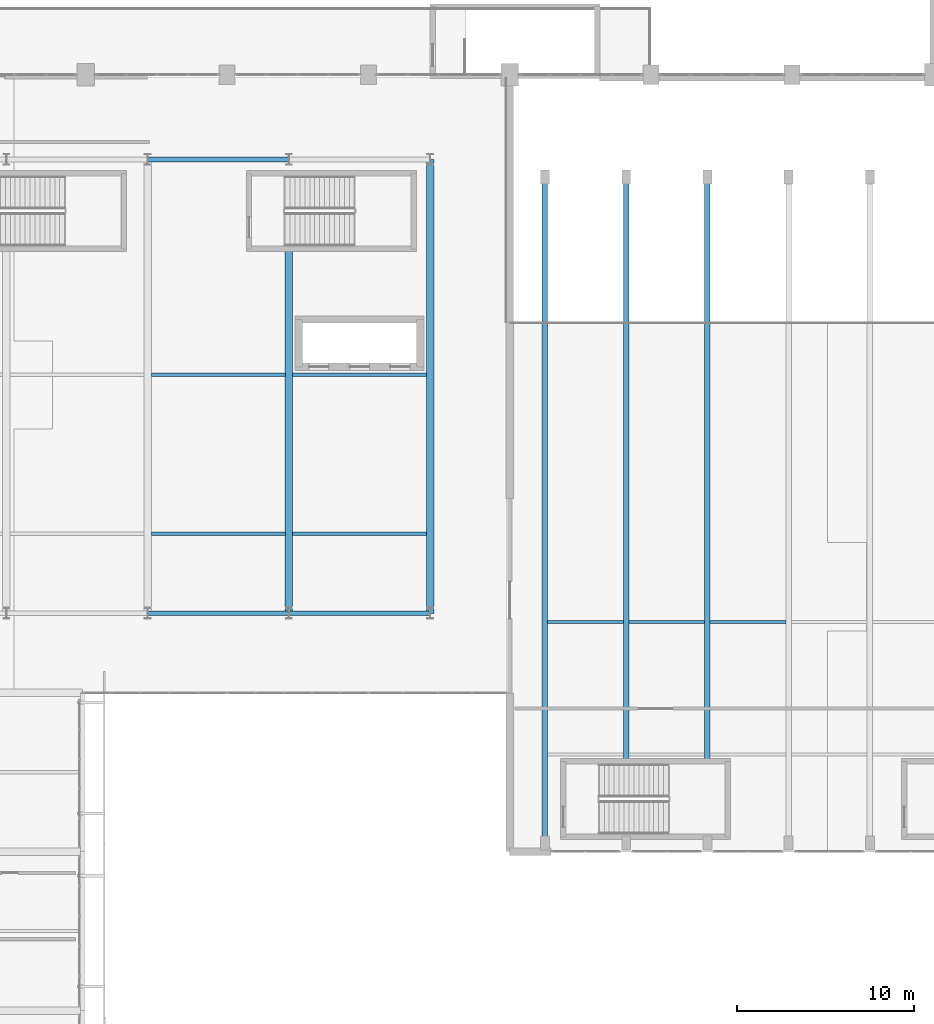
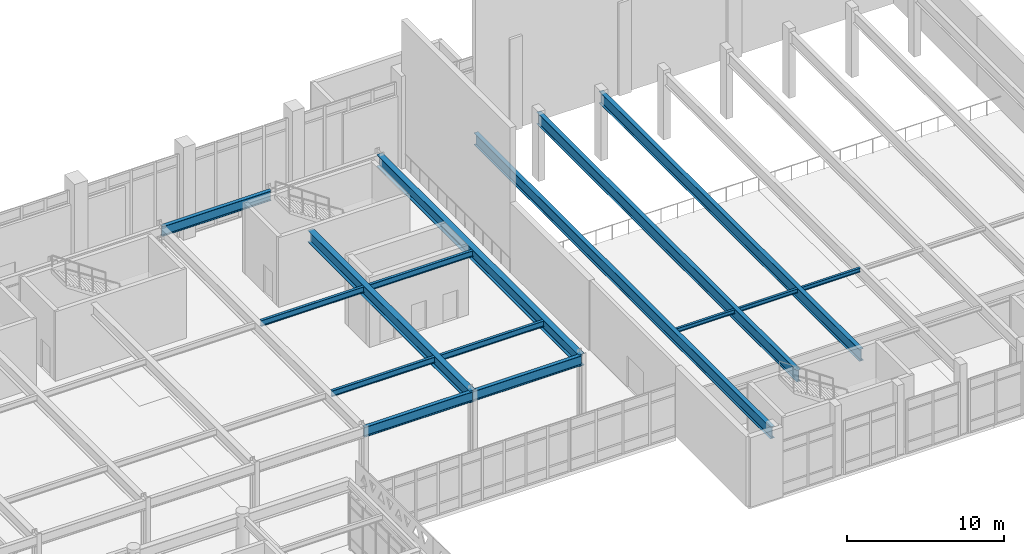
# One storey, part 40 of 84: 15 beams.
"""IFC4 building model written with IfcOpenShell, lengths in metres."""

from ifc_helpers import new_model, si_unit, direction, frame, origin, origin_2d, place, context, subcontext, project, spatial, i_section, extrude, material, material_profile, profile_set, type_object, element, save


model = new_model("IFC4")

# Units and contexts
model_context = context("Model", 3, precision=1e-05, world=origin(), true_north=direction((0.0, 1.0)))
body_context = subcontext(model_context, "Body", "Model", "MODEL_VIEW")
ifc_project = project(units=[si_unit("LENGTHUNIT", "METRE"), si_unit("AREAUNIT", "SQUARE_METRE"), si_unit("VOLUMEUNIT", "CUBIC_METRE"), si_unit("PLANEANGLEUNIT", "RADIAN"), si_unit("MASSUNIT", "GRAM", prefix="KILO")], contexts=[model_context])

# Site, building, storey
site_placement = place(None, origin())
site = spatial("IfcSite", under=ifc_project, at=site_placement, CompositionType="ELEMENT")
building_placement = place(site_placement, origin())
building = spatial("IfcBuilding", under=site, at=building_placement, Name="Tlacozan Convention Centre", CompositionType="ELEMENT")
storey_placement = place(building_placement, frame((0.0, 0.0, 6.0)))
storey = spatial("IfcBuildingStorey", under=building, at=storey_placement, Name="L01", CompositionType="ELEMENT", Elevation=6.0)

# Beams
ifc_material = material(Name="Steel ASTM A992 Grade 50", Category="steel")
ifc_material_profile_1 = material_profile(ifc_material, i_section(OverallWidth=0.41796875, OverallDepth=0.912109375, WebThickness=0.019287109375, FlangeThickness=0.031982421875, FilletRadius=0.02001953125, at=origin_2d()), Name="IR 914x342.0")
ifc_profile_set_1 = profile_set([ifc_material_profile_1], Name="Steel ASTM A992 Grade 50")
beam_type_1 = type_object("IfcBeamType", Name="Ballroom Span Girder IR 914x342", PredefinedType="BEAM", material=ifc_profile_set_1)
beam_1_placement = place(storey_placement, frame((131.5, 31.5, 4.68408203125), z_axis=(0.0, 1.0, 0.0), x_axis=(-1.0, 0.0, 0.0)))
element("IfcBeam", 1, at=beam_1_placement, inside=storey, type_object=beam_type_1, Name="L01 Ballroom Span Girder IR 914x342 1444", PredefinedType="BEAM", context=body_context, shape_type="SweptSolid", body=[
    extrude(i_section(OverallWidth=0.41796875, OverallDepth=0.912109375, WebThickness=0.019287109375, FlangeThickness=0.031982421875, FilletRadius=0.02001953125, at=origin_2d()), origin(), (0.0, 0.0, 1.0), 20.639892578125),
])
beam_2_placement = place(storey_placement, frame((139.5, 31.5, 4.68408203125), z_axis=(0.0, 1.0, 0.0), x_axis=(-1.0, 0.0, 0.0)))
element("IfcBeam", 2, at=beam_2_placement, inside=storey, type_object=beam_type_1, Name="L01 Ballroom Span Girder IR 914x342 1445", PredefinedType="BEAM", context=body_context, shape_type="SweptSolid", body=[
    extrude(i_section(OverallWidth=0.41796875, OverallDepth=0.912109375, WebThickness=0.019287109375, FlangeThickness=0.031982421875, FilletRadius=0.02001953125, at=origin_2d()), origin(), (0.0, 0.0, 1.0), 25.699951171875),
])
ifc_material_profile_2 = material_profile(ifc_material, i_section(OverallWidth=0.26806640625, OverallDepth=0.77001953125, WebThickness=0.015625, FlangeThickness=0.025390625, FilletRadius=0.01708984375, at=origin_2d()), Name="IR 762x196.0")
ifc_profile_set_2 = profile_set([ifc_material_profile_2], Name="Steel ASTM A992 Grade 50")
beam_type_2 = type_object("IfcBeamType", Name="Girder Steel IR 762x196", PredefinedType="BEAM", material=ifc_profile_set_2)
for number, where, z_axis, x_axis, name in (
    (3, (123.5, 31.5, 4.7548828125), (1.0, 0.0, 0.0), (0.0, 1.0, 0.0), "L01 Girder Steel IR 762x196 1462"),
    (4, (123.5, 57.199951171875, 4.7548828125), (1.0, 0.0, 0.0), (0.0, 1.0, 0.0), "L01 Girder Steel IR 762x196 1463"),
    (5, (131.5, 31.5, 4.7548828125), (1.0, 0.0, 0.0), (0.0, 1.0, 0.0), "L01 Girder Steel IR 762x196 1466"),
):
    element("IfcBeam", number, at=place(storey_placement, frame(where, z_axis=z_axis, x_axis=x_axis)), inside=storey, type_object=beam_type_2, Name=name, PredefinedType="BEAM", context=body_context, shape_type="SweptSolid", body=[
        extrude(i_section(OverallWidth=0.26806640625, OverallDepth=0.77001953125, WebThickness=0.015625, FlangeThickness=0.025390625, FilletRadius=0.01708984375, at=origin_2d()), origin(), (0.0, 0.0, 1.0), 8.0),
    ])
ifc_material_profile_3 = material_profile(ifc_material, i_section(OverallWidth=0.30810546875, OverallDepth=0.927001953125, WebThickness=0.019287109375, FlangeThickness=0.031982421875, FilletRadius=0.01904296875, at=origin_2d()), Name="IR 914x289.0")
ifc_profile_set_3 = profile_set([ifc_material_profile_3], Name="Steel ASTM A992 Grade 50")
beam_type_3 = type_object("IfcBeamType", Name="Plenary Span Girder IR 914x289", PredefinedType="BEAM", material=ifc_profile_set_3)
beam_3_placement = place(storey_placement, frame((146.0, 18.5, 4.676513671875), z_axis=(0.0, 1.0, 0.0), x_axis=(-1.0, 0.0, 0.0)))
element("IfcBeam", 6, at=beam_3_placement, inside=storey, type_object=beam_type_3, Name="L01 Plenary Span Girder IR 914x289 1597", PredefinedType="BEAM", context=body_context, shape_type="SweptSolid", body=[
    extrude(i_section(OverallWidth=0.30810546875, OverallDepth=0.927001953125, WebThickness=0.019287109375, FlangeThickness=0.031982421875, FilletRadius=0.01904296875, at=origin_2d()), origin(), (0.0, 0.0, 1.0), 37.699951171875),
])
for number, where, z_axis, x_axis, name in (
    (7, (150.60009765625, 23.1201171875, 4.676513671875), (0.0, 1.0, 0.0), (-1.0, 0.0, 0.0), "L01 Plenary Span Girder IR 914x289 1598"),
    (8, (155.199951171875, 23.1201171875, 4.676513671875), (0.0, 1.0, 0.0), (-1.0, 0.0, 0.0), "L01 Plenary Span Girder IR 914x289 1599"),
):
    element("IfcBeam", number, at=place(storey_placement, frame(where, z_axis=z_axis, x_axis=x_axis)), inside=storey, type_object=beam_type_3, Name=name, PredefinedType="BEAM", context=body_context, shape_type="SweptSolid", body=[
        extrude(i_section(OverallWidth=0.30810546875, OverallDepth=0.927001953125, WebThickness=0.019287109375, FlangeThickness=0.031982421875, FilletRadius=0.01904296875, at=origin_2d()), origin(), (0.0, 0.0, 1.0), 33.079833984375),
    ])
ifc_material_profile_4 = material_profile(ifc_material, i_section(OverallWidth=0.1669921875, OverallDepth=0.31689453125, WebThickness=0.007568359375, FlangeThickness=0.01318359375, FilletRadius=0.010009765625, at=origin_2d()), Name="IR 305x52.2")
ifc_profile_set_4 = profile_set([ifc_material_profile_4], Name="Steel ASTM A992 Grade 50")
beam_type_4 = type_object("IfcBeamType", Name="Secondary Joist IR 305x52.2", PredefinedType="JOIST", material=ifc_profile_set_4)
beam_4_placement = place(storey_placement, frame((146.152099609375, 31.0, 4.9814453125), z_axis=(1.0, 0.0, 0.0), x_axis=(0.0, 1.0, 0.0)))
element("IfcBeam", 9, at=beam_4_placement, inside=storey, type_object=beam_type_4, Name="L01 Secondary Joist IR 305x52.2 1606", PredefinedType="JOIST", context=body_context, shape_type="SweptSolid", body=[
    extrude(i_section(OverallWidth=0.1669921875, OverallDepth=0.31689453125, WebThickness=0.007568359375, FlangeThickness=0.01318359375, FilletRadius=0.010009765625, at=origin_2d()), origin(), (0.0, 0.0, 1.0), 4.2958984375),
])
beam_5_placement = place(storey_placement, frame((150.751953125, 31.0, 4.9814453125), z_axis=(1.0, 0.0, 0.0), x_axis=(0.0, 1.0, 0.0)))
element("IfcBeam", 10, at=beam_5_placement, inside=storey, type_object=beam_type_4, Name="L01 Secondary Joist IR 305x52.2 1608", PredefinedType="JOIST", context=body_context, shape_type="SweptSolid", body=[
    extrude(i_section(OverallWidth=0.1669921875, OverallDepth=0.31689453125, WebThickness=0.007568359375, FlangeThickness=0.01318359375, FilletRadius=0.010009765625, at=origin_2d()), origin(), (0.0, 0.0, 1.0), 4.296142578125),
])
beam_6_placement = place(storey_placement, frame((155.35205078125, 31.0, 4.9814453125), z_axis=(1.0, 0.0, 0.0), x_axis=(0.0, 1.0, 0.0)))
element("IfcBeam", 11, at=beam_6_placement, inside=storey, type_object=beam_type_4, Name="L01 Secondary Joist IR 305x52.2 1610", PredefinedType="JOIST", context=body_context, shape_type="SweptSolid", body=[
    extrude(i_section(OverallWidth=0.1669921875, OverallDepth=0.31689453125, WebThickness=0.007568359375, FlangeThickness=0.01318359375, FilletRadius=0.010009765625, at=origin_2d()), origin(), (0.0, 0.0, 1.0), 4.2958984375),
])
ifc_material_profile_5 = material_profile(ifc_material, i_section(OverallWidth=0.19189453125, OverallDepth=0.462890625, WebThickness=0.010498046875, FlangeThickness=0.017578125, FilletRadius=0.010986328125, at=origin_2d()), Name="IR 457x89.3")
ifc_profile_set_5 = profile_set([ifc_material_profile_5], Name="Steel ASTM A992 Grade 50")
beam_type_5 = type_object("IfcBeamType", Name="Secondary Joist IR 457x89.3", PredefinedType="JOIST", material=ifc_profile_set_5)
for number, where, z_axis, x_axis, name in (
    (12, (123.70703125, 36.0, 4.908447265625), (1.0, 0.0, 0.0), (0.0, 1.0, 0.0), "L01 Secondary Joist IR 457x89.3 1464"),
    (13, (123.70703125, 45.0, 4.908447265625), (1.0, 0.0, 0.0), (0.0, 1.0, 0.0), "L01 Secondary Joist IR 457x89.3 1465"),
    (14, (131.70703125, 36.0, 4.908447265625), (1.0, 0.0, 0.0), (0.0, 1.0, 0.0), "L01 Secondary Joist IR 457x89.3 1468"),
    (15, (131.70703125, 45.0, 4.908447265625), (1.0, 0.0, 0.0), (0.0, 1.0, 0.0), "L01 Secondary Joist IR 457x89.3 1469"),
):
    element("IfcBeam", number, at=place(storey_placement, frame(where, z_axis=z_axis, x_axis=x_axis)), inside=storey, type_object=beam_type_5, Name=name, PredefinedType="JOIST", context=body_context, shape_type="SweptSolid", body=[
        extrude(i_section(OverallWidth=0.19189453125, OverallDepth=0.462890625, WebThickness=0.010498046875, FlangeThickness=0.017578125, FilletRadius=0.010986328125, at=origin_2d()), origin(), (0.0, 0.0, 1.0), 7.5859375),
    ])

save(model, "model.ifc")
